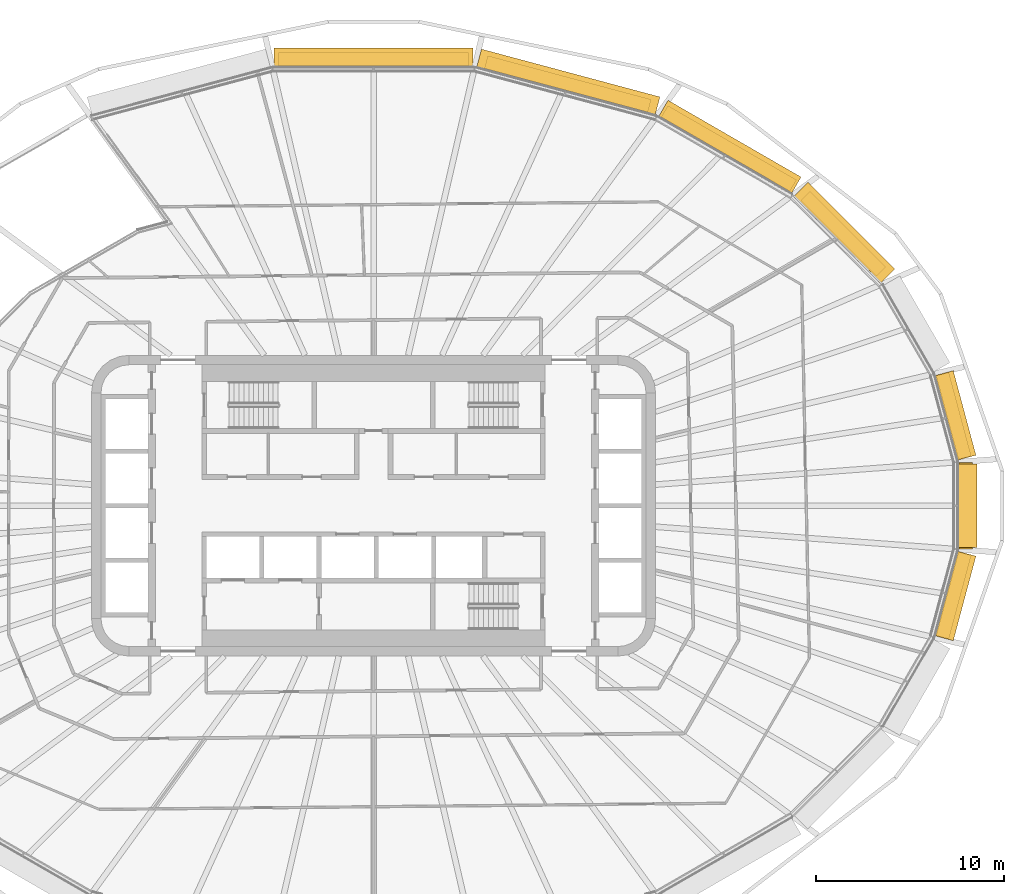
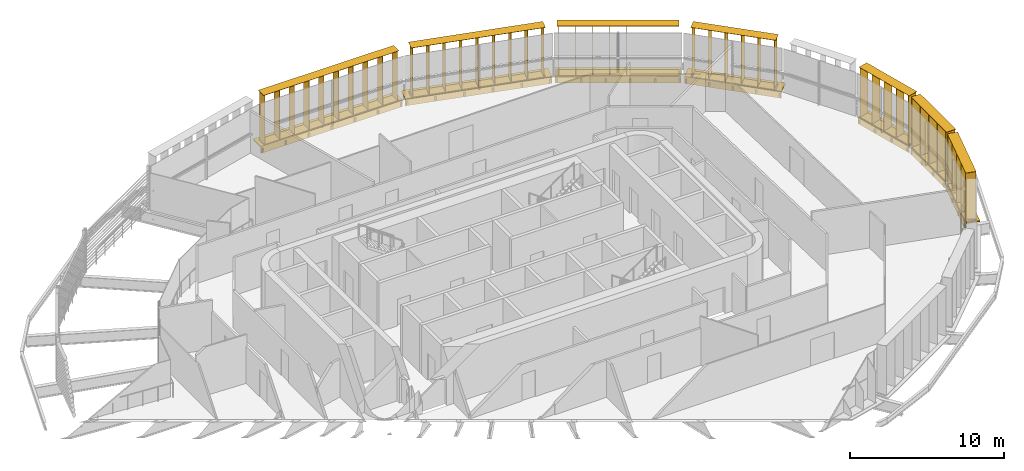
# One storey, part 22 of 22: 14 shading devices.
"""IFC4 building model written with IfcOpenShell, lengths in metres."""

from ifc_helpers import new_model, si_unit, direction, frame, origin, origin_2d, place, context, subcontext, project, spatial, rectangle, extrude, material, type_object, element, save


model = new_model("IFC4")

# Units and contexts
model_context = context("Model", 3, precision=1e-05, world=origin(), true_north=direction((0.0, 1.0)))
body_context = subcontext(model_context, "Body", "Model", "MODEL_VIEW")
ifc_project = project(units=[si_unit("LENGTHUNIT", "METRE"), si_unit("AREAUNIT", "SQUARE_METRE"), si_unit("VOLUMEUNIT", "CUBIC_METRE"), si_unit("PLANEANGLEUNIT", "RADIAN"), si_unit("MASSUNIT", "GRAM", prefix="KILO")], contexts=[model_context])

# Site, building, storey
site_placement = place(None, origin())
site = spatial("IfcSite", under=ifc_project, at=site_placement, CompositionType="ELEMENT")
building_placement = place(site_placement, origin())
building = spatial("IfcBuilding", under=site, at=building_placement, Name="Sahrelin Media Tower", CompositionType="ELEMENT")
storey_placement = place(building_placement, frame((0.0, 0.0, 177.60009765625)))
storey = spatial("IfcBuildingStorey", under=building, at=storey_placement, Name="L37", CompositionType="ELEMENT", Elevation=177.60009765625)

# Shading devices
ifc_material = material(Name="Champagne anodised aluminium 6063-T6", Category="aluminium")
shading_device_type_1 = type_object("IfcShadingDeviceType", Name="Fin cassette", PredefinedType="USERDEFINED", material=ifc_material)
placement_1 = place(storey_placement, frame((31.081787109375, 0.0, 0.0), z_axis=(0.0, 0.0, 1.0), x_axis=(0.0, -1.0, 0.0)))
element("IfcShadingDevice", 1, at=placement_1, inside=storey, type_object=shading_device_type_1, Name="L37:FIN:L37-00", ObjectType="FIN", PredefinedType="USERDEFINED", context=body_context, shape_type="SweptSolid", body=[
    extrude(rectangle(XDim=4.60009765625, YDim=0.699951171875, at=origin_2d()), frame((0.0, 0.419921875, 0.0)), (0.0, 0.0, 1.0), 0.02001953125),
    extrude(rectangle(XDim=4.60009765625, YDim=0.699951171875, at=origin_2d()), frame((0.0, 0.419921875, 3.89990234375)), (0.0, 0.0, 1.0), 0.02001953125),
    extrude(rectangle(XDim=0.02001953125, YDim=0.699951171875, at=origin_2d()), frame((-2.199951171875, 0.419921875, 0.010009765625), z_axis=(0.0, 0.0, 1.0), x_axis=(1.0, 0.0, 0.0)), (0.0, 0.0, 1.0), 3.89990234375),
    extrude(rectangle(XDim=0.02001953125, YDim=0.699951171875, at=origin_2d()), frame((-1.10009765625, 0.419921875, 0.010009765625), z_axis=(0.0, 0.0, 1.0), x_axis=(1.0, 0.0, 0.0)), (0.0, 0.0, 1.0), 3.89990234375),
    extrude(rectangle(XDim=0.02001953125, YDim=0.699951171875, at=origin_2d()), frame((0.0, 0.419921875, 0.010009765625), z_axis=(0.0, 0.0, 1.0), x_axis=(1.0, 0.0, 0.0)), (0.0, 0.0, 1.0), 3.89990234375),
    extrude(rectangle(XDim=0.02001953125, YDim=0.699951171875, at=origin_2d()), frame((1.10009765625, 0.419921875, 0.010009765625), z_axis=(0.0, 0.0, 1.0), x_axis=(1.0, 0.0, 0.0)), (0.0, 0.0, 1.0), 3.89990234375),
    extrude(rectangle(XDim=0.02001953125, YDim=0.699951171875, at=origin_2d()), frame((2.199951171875, 0.419921875, 0.010009765625), z_axis=(0.0, 0.0, 1.0), x_axis=(1.0, 0.0, 0.0)), (0.0, 0.0, 1.0), 3.89990234375),
])
placement_2 = place(storey_placement, frame((30.453369140625, 4.667236328125, 0.0), z_axis=(0.0, 0.0, 1.0), x_axis=(0.258807731996, -0.965928857556, 0.0)))
element("IfcShadingDevice", 2, at=placement_2, inside=storey, type_object=shading_device_type_1, Name="L37:FIN:L37-01", ObjectType="FIN", PredefinedType="USERDEFINED", context=body_context, shape_type="SweptSolid", body=[
    extrude(rectangle(XDim=4.60009765625, YDim=0.699951171875, at=origin_2d()), frame((0.0, 0.419921875, 0.0)), (0.0, 0.0, 1.0), 0.02001953125),
    extrude(rectangle(XDim=4.60009765625, YDim=0.699951171875, at=origin_2d()), frame((0.0, 0.419921875, 3.89990234375)), (0.0, 0.0, 1.0), 0.02001953125),
    extrude(rectangle(XDim=0.02001953125, YDim=0.699951171875, at=origin_2d()), frame((-2.199951171875, 0.419921875, 0.010009765625), z_axis=(0.0, 0.0, 1.0), x_axis=(1.0, 0.0, 0.0)), (0.0, 0.0, 1.0), 3.89990234375),
    extrude(rectangle(XDim=0.02001953125, YDim=0.699951171875, at=origin_2d()), frame((-1.10009765625, 0.419921875, 0.010009765625), z_axis=(0.0, 0.0, 1.0), x_axis=(1.0, 0.0, 0.0)), (0.0, 0.0, 1.0), 3.89990234375),
    extrude(rectangle(XDim=0.02001953125, YDim=0.699951171875, at=origin_2d()), frame((0.0, 0.419921875, 0.010009765625), z_axis=(0.0, 0.0, 1.0), x_axis=(1.0, 0.0, 0.0)), (0.0, 0.0, 1.0), 3.89990234375),
    extrude(rectangle(XDim=0.02001953125, YDim=0.699951171875, at=origin_2d()), frame((1.10009765625, 0.419921875, 0.010009765625), z_axis=(0.0, 0.0, 1.0), x_axis=(1.0, 0.0, 0.0)), (0.0, 0.0, 1.0), 3.89990234375),
    extrude(rectangle(XDim=0.02001953125, YDim=0.699951171875, at=origin_2d()), frame((2.199951171875, 0.419921875, 0.010009765625), z_axis=(0.0, 0.0, 1.0), x_axis=(1.0, 0.0, 0.0)), (0.0, 0.0, 1.0), 3.89990234375),
])
placement_3 = place(storey_placement, frame((24.688232421875, 14.172119140625, 0.0), z_axis=(0.0, 0.0, 1.0), x_axis=(0.707106781187, -0.707106781187, 0.0)))
element("IfcShadingDevice", 3, at=placement_3, inside=storey, type_object=shading_device_type_1, Name="L37:FIN:L37-03", ObjectType="FIN", PredefinedType="USERDEFINED", context=body_context, shape_type="SweptSolid", body=[
    extrude(rectangle(XDim=5.699951171875, YDim=0.699951171875, at=origin_2d()), frame((0.0, 0.419921875, 0.0)), (0.0, 0.0, 1.0), 0.02001953125),
    extrude(rectangle(XDim=5.699951171875, YDim=0.699951171875, at=origin_2d()), frame((0.0, 0.419921875, 3.89990234375)), (0.0, 0.0, 1.0), 0.02001953125),
    extrude(rectangle(XDim=0.02001953125, YDim=0.699951171875, at=origin_2d()), frame((-2.75, 0.419921875, 0.010009765625), z_axis=(0.0, 0.0, 1.0), x_axis=(1.0, 0.0, 0.0)), (0.0, 0.0, 1.0), 3.89990234375),
    extrude(rectangle(XDim=0.02001953125, YDim=0.699951171875, at=origin_2d()), frame((-1.64990234375, 0.419921875, 0.010009765625), z_axis=(0.0, 0.0, 1.0), x_axis=(1.0, 0.0, 0.0)), (0.0, 0.0, 1.0), 3.89990234375),
    extrude(rectangle(XDim=0.02001953125, YDim=0.699951171875, at=origin_2d()), frame((-0.550048828125, 0.419921875, 0.010009765625), z_axis=(0.0, 0.0, 1.0), x_axis=(1.0, 0.0, 0.0)), (0.0, 0.0, 1.0), 3.89990234375),
    extrude(rectangle(XDim=0.02001953125, YDim=0.699951171875, at=origin_2d()), frame((0.550048828125, 0.419921875, 0.010009765625), z_axis=(0.0, 0.0, 1.0), x_axis=(1.0, 0.0, 0.0)), (0.0, 0.0, 1.0), 3.89990234375),
    extrude(rectangle(XDim=0.02001953125, YDim=0.699951171875, at=origin_2d()), frame((1.64990234375, 0.419921875, 0.010009765625), z_axis=(0.0, 0.0, 1.0), x_axis=(1.0, 0.0, 0.0)), (0.0, 0.0, 1.0), 3.89990234375),
    extrude(rectangle(XDim=0.02001953125, YDim=0.699951171875, at=origin_2d()), frame((2.75, 0.419921875, 0.010009765625), z_axis=(0.0, 0.0, 1.0), x_axis=(1.0, 0.0, 0.0)), (0.0, 0.0, 1.0), 3.89990234375),
])
placement_4 = place(storey_placement, frame((18.691162109375, 18.6376953125, 0.0), z_axis=(0.0, 0.0, 1.0), x_axis=(0.866019052629, -0.500011000363, 0.0)))
element("IfcShadingDevice", 4, at=placement_4, inside=storey, type_object=shading_device_type_1, Name="L37:FIN:L37-04", ObjectType="FIN", PredefinedType="USERDEFINED", context=body_context, shape_type="SweptSolid", body=[
    extrude(rectangle(XDim=7.89990234375, YDim=0.699951171875, at=origin_2d()), frame((0.0, 0.419921875, 0.0)), (0.0, 0.0, 1.0), 0.02001953125),
    extrude(rectangle(XDim=7.89990234375, YDim=0.699951171875, at=origin_2d()), frame((0.0, 0.419921875, 3.89990234375)), (0.0, 0.0, 1.0), 0.02001953125),
    extrude(rectangle(XDim=0.02001953125, YDim=0.699951171875, at=origin_2d()), frame((-3.85009765625, 0.419921875, 0.010009765625), z_axis=(0.0, 0.0, 1.0), x_axis=(1.0, 0.0, 0.0)), (0.0, 0.0, 1.0), 3.89990234375),
    extrude(rectangle(XDim=0.02001953125, YDim=0.699951171875, at=origin_2d()), frame((-2.75, 0.419921875, 0.010009765625), z_axis=(0.0, 0.0, 1.0), x_axis=(1.0, 0.0, 0.0)), (0.0, 0.0, 1.0), 3.89990234375),
    extrude(rectangle(XDim=0.02001953125, YDim=0.699951171875, at=origin_2d()), frame((-1.64990234375, 0.419921875, 0.010009765625), z_axis=(0.0, 0.0, 1.0), x_axis=(1.0, 0.0, 0.0)), (0.0, 0.0, 1.0), 3.89990234375),
    extrude(rectangle(XDim=0.02001953125, YDim=0.699951171875, at=origin_2d()), frame((-0.550048828125, 0.419921875, 0.010009765625), z_axis=(0.0, 0.0, 1.0), x_axis=(1.0, 0.0, 0.0)), (0.0, 0.0, 1.0), 3.89990234375),
    extrude(rectangle(XDim=0.02001953125, YDim=0.699951171875, at=origin_2d()), frame((0.550048828125, 0.419921875, 0.010009765625), z_axis=(0.0, 0.0, 1.0), x_axis=(1.0, 0.0, 0.0)), (0.0, 0.0, 1.0), 3.89990234375),
    extrude(rectangle(XDim=0.02001953125, YDim=0.699951171875, at=origin_2d()), frame((1.64990234375, 0.419921875, 0.010009765625), z_axis=(0.0, 0.0, 1.0), x_axis=(1.0, 0.0, 0.0)), (0.0, 0.0, 1.0), 3.89990234375),
    extrude(rectangle(XDim=0.02001953125, YDim=0.699951171875, at=origin_2d()), frame((2.75, 0.419921875, 0.010009765625), z_axis=(0.0, 0.0, 1.0), x_axis=(1.0, 0.0, 0.0)), (0.0, 0.0, 1.0), 3.89990234375),
    extrude(rectangle(XDim=0.02001953125, YDim=0.699951171875, at=origin_2d()), frame((3.85009765625, 0.419921875, 0.010009765625), z_axis=(0.0, 0.0, 1.0), x_axis=(1.0, 0.0, 0.0)), (0.0, 0.0, 1.0), 3.89990234375),
])
placement_5 = place(storey_placement, frame((10.22509765625, 22.027099609375, 0.0), z_axis=(0.0, 0.0, 1.0), x_axis=(0.965928857556, -0.258807731996, 0.0)))
element("IfcShadingDevice", 5, at=placement_5, inside=storey, type_object=shading_device_type_1, Name="L37:FIN:L37-05", ObjectType="FIN", PredefinedType="USERDEFINED", context=body_context, shape_type="SweptSolid", body=[
    extrude(rectangle(XDim=9.0, YDim=0.699951171875, at=origin_2d()), frame((0.0, 0.419921875, 0.0)), (0.0, 0.0, 1.0), 0.02001953125),
    extrude(rectangle(XDim=9.0, YDim=0.699951171875, at=origin_2d()), frame((0.0, 0.419921875, 3.89990234375)), (0.0, 0.0, 1.0), 0.02001953125),
    extrude(rectangle(XDim=0.02001953125, YDim=0.699951171875, at=origin_2d()), frame((-4.39990234375, 0.419921875, 0.010009765625), z_axis=(0.0, 0.0, 1.0), x_axis=(1.0, 0.0, 0.0)), (0.0, 0.0, 1.0), 3.89990234375),
    extrude(rectangle(XDim=0.02001953125, YDim=0.699951171875, at=origin_2d()), frame((-3.300048828125, 0.419921875, 0.010009765625), z_axis=(0.0, 0.0, 1.0), x_axis=(1.0, 0.0, 0.0)), (0.0, 0.0, 1.0), 3.89990234375),
    extrude(rectangle(XDim=0.02001953125, YDim=0.699951171875, at=origin_2d()), frame((-2.199951171875, 0.419921875, 0.010009765625), z_axis=(0.0, 0.0, 1.0), x_axis=(1.0, 0.0, 0.0)), (0.0, 0.0, 1.0), 3.89990234375),
    extrude(rectangle(XDim=0.02001953125, YDim=0.699951171875, at=origin_2d()), frame((-1.10009765625, 0.419921875, 0.010009765625), z_axis=(0.0, 0.0, 1.0), x_axis=(1.0, 0.0, 0.0)), (0.0, 0.0, 1.0), 3.89990234375),
    extrude(rectangle(XDim=0.02001953125, YDim=0.699951171875, at=origin_2d()), frame((0.0, 0.419921875, 0.010009765625), z_axis=(0.0, 0.0, 1.0), x_axis=(1.0, 0.0, 0.0)), (0.0, 0.0, 1.0), 3.89990234375),
    extrude(rectangle(XDim=0.02001953125, YDim=0.699951171875, at=origin_2d()), frame((1.10009765625, 0.419921875, 0.010009765625), z_axis=(0.0, 0.0, 1.0), x_axis=(1.0, 0.0, 0.0)), (0.0, 0.0, 1.0), 3.89990234375),
    extrude(rectangle(XDim=0.02001953125, YDim=0.699951171875, at=origin_2d()), frame((2.199951171875, 0.419921875, 0.010009765625), z_axis=(0.0, 0.0, 1.0), x_axis=(1.0, 0.0, 0.0)), (0.0, 0.0, 1.0), 3.89990234375),
    extrude(rectangle(XDim=0.02001953125, YDim=0.699951171875, at=origin_2d()), frame((3.300048828125, 0.419921875, 0.010009765625), z_axis=(0.0, 0.0, 1.0), x_axis=(1.0, 0.0, 0.0)), (0.0, 0.0, 1.0), 3.89990234375),
    extrude(rectangle(XDim=0.02001953125, YDim=0.699951171875, at=origin_2d()), frame((4.39990234375, 0.419921875, 0.010009765625), z_axis=(0.0, 0.0, 1.0), x_axis=(1.0, 0.0, 0.0)), (0.0, 0.0, 1.0), 3.89990234375),
])
placement_6 = place(storey_placement, frame((0.0, 23.32470703125, 0.0), z_axis=(0.0, 0.0, 1.0), x_axis=(1.0, 0.0, 0.0)))
element("IfcShadingDevice", 6, at=placement_6, inside=storey, type_object=shading_device_type_1, Name="L37:FIN:L37-06", ObjectType="FIN", PredefinedType="USERDEFINED", context=body_context, shape_type="SweptSolid", body=[
    extrude(rectangle(XDim=10.10009765625, YDim=0.699951171875, at=origin_2d()), frame((0.0, 0.419921875, 0.0)), (0.0, 0.0, 1.0), 0.02001953125),
    extrude(rectangle(XDim=10.10009765625, YDim=0.699951171875, at=origin_2d()), frame((0.0, 0.419921875, 3.89990234375)), (0.0, 0.0, 1.0), 0.02001953125),
    extrude(rectangle(XDim=0.02001953125, YDim=0.699951171875, at=origin_2d()), frame((-4.949951171875, 0.419921875, 0.010009765625), z_axis=(0.0, 0.0, 1.0), x_axis=(1.0, 0.0, 0.0)), (0.0, 0.0, 1.0), 3.89990234375),
    extrude(rectangle(XDim=0.02001953125, YDim=0.699951171875, at=origin_2d()), frame((-3.85009765625, 0.419921875, 0.010009765625), z_axis=(0.0, 0.0, 1.0), x_axis=(1.0, 0.0, 0.0)), (0.0, 0.0, 1.0), 3.89990234375),
    extrude(rectangle(XDim=0.02001953125, YDim=0.699951171875, at=origin_2d()), frame((-2.75, 0.419921875, 0.010009765625), z_axis=(0.0, 0.0, 1.0), x_axis=(1.0, 0.0, 0.0)), (0.0, 0.0, 1.0), 3.89990234375),
    extrude(rectangle(XDim=0.02001953125, YDim=0.699951171875, at=origin_2d()), frame((-1.64990234375, 0.419921875, 0.010009765625), z_axis=(0.0, 0.0, 1.0), x_axis=(1.0, 0.0, 0.0)), (0.0, 0.0, 1.0), 3.89990234375),
    extrude(rectangle(XDim=0.02001953125, YDim=0.699951171875, at=origin_2d()), frame((-0.550048828125, 0.419921875, 0.010009765625), z_axis=(0.0, 0.0, 1.0), x_axis=(1.0, 0.0, 0.0)), (0.0, 0.0, 1.0), 3.89990234375),
    extrude(rectangle(XDim=0.02001953125, YDim=0.699951171875, at=origin_2d()), frame((0.550048828125, 0.419921875, 0.010009765625), z_axis=(0.0, 0.0, 1.0), x_axis=(1.0, 0.0, 0.0)), (0.0, 0.0, 1.0), 3.89990234375),
    extrude(rectangle(XDim=0.02001953125, YDim=0.699951171875, at=origin_2d()), frame((1.64990234375, 0.419921875, 0.010009765625), z_axis=(0.0, 0.0, 1.0), x_axis=(1.0, 0.0, 0.0)), (0.0, 0.0, 1.0), 3.89990234375),
    extrude(rectangle(XDim=0.02001953125, YDim=0.699951171875, at=origin_2d()), frame((2.75, 0.419921875, 0.010009765625), z_axis=(0.0, 0.0, 1.0), x_axis=(1.0, 0.0, 0.0)), (0.0, 0.0, 1.0), 3.89990234375),
    extrude(rectangle(XDim=0.02001953125, YDim=0.699951171875, at=origin_2d()), frame((3.85009765625, 0.419921875, 0.010009765625), z_axis=(0.0, 0.0, 1.0), x_axis=(1.0, 0.0, 0.0)), (0.0, 0.0, 1.0), 3.89990234375),
    extrude(rectangle(XDim=0.02001953125, YDim=0.699951171875, at=origin_2d()), frame((4.949951171875, 0.419921875, 0.010009765625), z_axis=(0.0, 0.0, 1.0), x_axis=(1.0, 0.0, 0.0)), (0.0, 0.0, 1.0), 3.89990234375),
])
placement_7 = place(storey_placement, frame((30.453369140625, -4.667236328125, 0.0), z_axis=(0.0, 0.0, 1.0), x_axis=(-0.258807731996, -0.965928857556, 0.0)))
element("IfcShadingDevice", 7, at=placement_7, inside=storey, type_object=shading_device_type_1, Name="L37:FIN:L37-23", ObjectType="FIN", PredefinedType="USERDEFINED", context=body_context, shape_type="SweptSolid", body=[
    extrude(rectangle(XDim=4.60009765625, YDim=0.699951171875, at=origin_2d()), frame((0.0, 0.419921875, 0.0)), (0.0, 0.0, 1.0), 0.02001953125),
    extrude(rectangle(XDim=4.60009765625, YDim=0.699951171875, at=origin_2d()), frame((0.0, 0.419921875, 3.89990234375)), (0.0, 0.0, 1.0), 0.02001953125),
    extrude(rectangle(XDim=0.02001953125, YDim=0.699951171875, at=origin_2d()), frame((-2.199951171875, 0.419921875, 0.010009765625), z_axis=(0.0, 0.0, 1.0), x_axis=(1.0, 0.0, 0.0)), (0.0, 0.0, 1.0), 3.89990234375),
    extrude(rectangle(XDim=0.02001953125, YDim=0.699951171875, at=origin_2d()), frame((-1.10009765625, 0.419921875, 0.010009765625), z_axis=(0.0, 0.0, 1.0), x_axis=(1.0, 0.0, 0.0)), (0.0, 0.0, 1.0), 3.89990234375),
    extrude(rectangle(XDim=0.02001953125, YDim=0.699951171875, at=origin_2d()), frame((0.0, 0.419921875, 0.010009765625), z_axis=(0.0, 0.0, 1.0), x_axis=(1.0, 0.0, 0.0)), (0.0, 0.0, 1.0), 3.89990234375),
    extrude(rectangle(XDim=0.02001953125, YDim=0.699951171875, at=origin_2d()), frame((1.10009765625, 0.419921875, 0.010009765625), z_axis=(0.0, 0.0, 1.0), x_axis=(1.0, 0.0, 0.0)), (0.0, 0.0, 1.0), 3.89990234375),
    extrude(rectangle(XDim=0.02001953125, YDim=0.699951171875, at=origin_2d()), frame((2.199951171875, 0.419921875, 0.010009765625), z_axis=(0.0, 0.0, 1.0), x_axis=(1.0, 0.0, 0.0)), (0.0, 0.0, 1.0), 3.89990234375),
])
shading_device_type_2 = type_object("IfcShadingDeviceType", Name="Sunshade band", PredefinedType="USERDEFINED", material=ifc_material)
element("IfcShadingDevice", 8, at=placement_1, inside=storey, type_object=shading_device_type_2, Name="L37:SUN:L37-00", ObjectType="SUNSHADE", PredefinedType="USERDEFINED", context=body_context, shape_type="SweptSolid", body=[
    extrude(rectangle(XDim=4.443603515625, YDim=0.050048828125, at=origin_2d()), frame((0.0, 0.044921875, -0.55126953125)), (0.0, 0.0, 1.0), 0.471435546875),
    extrude(rectangle(XDim=4.443603515625, YDim=1.0, at=origin_2d()), frame((0.0, 0.52001953125, -0.080078125)), (0.0, 0.0, 1.0), 0.080078125),
    extrude(rectangle(XDim=0.10009765625, YDim=0.074951171875, at=origin_2d()), frame((-2.121826171875, -0.017578125, -0.47021484375)), (0.0, 0.0, 1.0), 0.300048828125),
    extrude(rectangle(XDim=0.10009765625, YDim=0.074951171875, at=origin_2d()), frame((-0.707275390625, -0.017578125, -0.47021484375)), (0.0, 0.0, 1.0), 0.300048828125),
    extrude(rectangle(XDim=0.10009765625, YDim=0.074951171875, at=origin_2d()), frame((0.707275390625, -0.017578125, -0.47021484375)), (0.0, 0.0, 1.0), 0.300048828125),
    extrude(rectangle(XDim=0.10009765625, YDim=0.074951171875, at=origin_2d()), frame((2.121826171875, -0.017578125, -0.47021484375)), (0.0, 0.0, 1.0), 0.300048828125),
])
element("IfcShadingDevice", 9, at=placement_2, inside=storey, type_object=shading_device_type_2, Name="L37:SUN:L37-01", ObjectType="SUNSHADE", PredefinedType="USERDEFINED", context=body_context, shape_type="SweptSolid", body=[
    extrude(rectangle(XDim=4.656494140625, YDim=0.050048828125, at=origin_2d()), frame((0.0, 0.044921875, -0.55126953125)), (0.0, 0.0, 1.0), 0.471435546875),
    extrude(rectangle(XDim=4.656494140625, YDim=1.0, at=origin_2d()), frame((0.0, 0.52001953125, -0.080078125)), (0.0, 0.0, 1.0), 0.080078125),
    extrude(rectangle(XDim=0.10009765625, YDim=0.074951171875, at=origin_2d()), frame((-2.228271484375, -0.017578125, -0.47021484375)), (0.0, 0.0, 1.0), 0.300048828125),
    extrude(rectangle(XDim=0.10009765625, YDim=0.074951171875, at=origin_2d()), frame((-0.74267578125, -0.017578125, -0.47021484375)), (0.0, 0.0, 1.0), 0.300048828125),
    extrude(rectangle(XDim=0.10009765625, YDim=0.074951171875, at=origin_2d()), frame((0.74267578125, -0.017578125, -0.47021484375)), (0.0, 0.0, 1.0), 0.300048828125),
    extrude(rectangle(XDim=0.10009765625, YDim=0.074951171875, at=origin_2d()), frame((2.228271484375, -0.017578125, -0.47021484375)), (0.0, 0.0, 1.0), 0.300048828125),
])
element("IfcShadingDevice", 10, at=placement_3, inside=storey, type_object=shading_device_type_2, Name="L37:SUN:L37-03", ObjectType="SUNSHADE", PredefinedType="USERDEFINED", context=body_context, shape_type="SweptSolid", body=[
    extrude(rectangle(XDim=6.513916015625, YDim=0.050048828125, at=origin_2d()), frame((0.0, 0.044921875, -0.55126953125)), (0.0, 0.0, 1.0), 0.471435546875),
    extrude(rectangle(XDim=6.513916015625, YDim=1.0, at=origin_2d()), frame((0.0, 0.52001953125, -0.080078125)), (0.0, 0.0, 1.0), 0.080078125),
    extrude(rectangle(XDim=0.10009765625, YDim=0.074951171875, at=origin_2d()), frame((-3.156982421875, -0.017578125, -0.47021484375)), (0.0, 0.0, 1.0), 0.300048828125),
    extrude(rectangle(XDim=0.10009765625, YDim=0.074951171875, at=origin_2d()), frame((-1.578369140625, -0.017578125, -0.47021484375)), (0.0, 0.0, 1.0), 0.300048828125),
    extrude(rectangle(XDim=0.10009765625, YDim=0.074951171875, at=origin_2d()), frame((0.0, -0.017578125, -0.47021484375)), (0.0, 0.0, 1.0), 0.300048828125),
    extrude(rectangle(XDim=0.10009765625, YDim=0.074951171875, at=origin_2d()), frame((1.578369140625, -0.017578125, -0.47021484375)), (0.0, 0.0, 1.0), 0.300048828125),
    extrude(rectangle(XDim=0.10009765625, YDim=0.074951171875, at=origin_2d()), frame((3.156982421875, -0.017578125, -0.47021484375)), (0.0, 0.0, 1.0), 0.300048828125),
])
element("IfcShadingDevice", 11, at=placement_4, inside=storey, type_object=shading_device_type_2, Name="L37:SUN:L37-04", ObjectType="SUNSHADE", PredefinedType="USERDEFINED", context=body_context, shape_type="SweptSolid", body=[
    extrude(rectangle(XDim=8.16748046875, YDim=0.050048828125, at=origin_2d()), frame((0.0, 0.044921875, -0.55126953125)), (0.0, 0.0, 1.0), 0.471435546875),
    extrude(rectangle(XDim=8.16748046875, YDim=1.0, at=origin_2d()), frame((0.0, 0.52001953125, -0.080078125)), (0.0, 0.0, 1.0), 0.080078125),
    extrude(rectangle(XDim=0.10009765625, YDim=0.074951171875, at=origin_2d()), frame((-3.98388671875, -0.017578125, -0.47021484375)), (0.0, 0.0, 1.0), 0.300048828125),
    extrude(rectangle(XDim=0.10009765625, YDim=0.074951171875, at=origin_2d()), frame((-2.390380859375, -0.017578125, -0.47021484375)), (0.0, 0.0, 1.0), 0.300048828125),
    extrude(rectangle(XDim=0.10009765625, YDim=0.074951171875, at=origin_2d()), frame((-0.796875, -0.017578125, -0.47021484375)), (0.0, 0.0, 1.0), 0.300048828125),
    extrude(rectangle(XDim=0.10009765625, YDim=0.074951171875, at=origin_2d()), frame((0.796875, -0.017578125, -0.47021484375)), (0.0, 0.0, 1.0), 0.300048828125),
    extrude(rectangle(XDim=0.10009765625, YDim=0.074951171875, at=origin_2d()), frame((2.390380859375, -0.017578125, -0.47021484375)), (0.0, 0.0, 1.0), 0.300048828125),
    extrude(rectangle(XDim=0.10009765625, YDim=0.074951171875, at=origin_2d()), frame((3.98388671875, -0.017578125, -0.47021484375)), (0.0, 0.0, 1.0), 0.300048828125),
])
element("IfcShadingDevice", 12, at=placement_5, inside=storey, type_object=shading_device_type_2, Name="L37:SUN:L37-05", ObjectType="SUNSHADE", PredefinedType="USERDEFINED", context=body_context, shape_type="SweptSolid", body=[
    extrude(rectangle(XDim=9.826904296875, YDim=0.050048828125, at=origin_2d()), frame((0.0, 0.044921875, -0.55126953125)), (0.0, 0.0, 1.0), 0.471435546875),
    extrude(rectangle(XDim=9.826904296875, YDim=1.0, at=origin_2d()), frame((0.0, 0.52001953125, -0.080078125)), (0.0, 0.0, 1.0), 0.080078125),
    extrude(rectangle(XDim=0.10009765625, YDim=0.074951171875, at=origin_2d()), frame((-4.8134765625, -0.017578125, -0.47021484375)), (0.0, 0.0, 1.0), 0.300048828125),
    extrude(rectangle(XDim=0.10009765625, YDim=0.074951171875, at=origin_2d()), frame((-2.88818359375, -0.017578125, -0.47021484375)), (0.0, 0.0, 1.0), 0.300048828125),
    extrude(rectangle(XDim=0.10009765625, YDim=0.074951171875, at=origin_2d()), frame((-0.962646484375, -0.017578125, -0.47021484375)), (0.0, 0.0, 1.0), 0.300048828125),
    extrude(rectangle(XDim=0.10009765625, YDim=0.074951171875, at=origin_2d()), frame((0.962646484375, -0.017578125, -0.47021484375)), (0.0, 0.0, 1.0), 0.300048828125),
    extrude(rectangle(XDim=0.10009765625, YDim=0.074951171875, at=origin_2d()), frame((2.88818359375, -0.017578125, -0.47021484375)), (0.0, 0.0, 1.0), 0.300048828125),
    extrude(rectangle(XDim=0.10009765625, YDim=0.074951171875, at=origin_2d()), frame((4.8134765625, -0.017578125, -0.47021484375)), (0.0, 0.0, 1.0), 0.300048828125),
])
element("IfcShadingDevice", 13, at=placement_6, inside=storey, type_object=shading_device_type_2, Name="L37:SUN:L37-06", ObjectType="SUNSHADE", PredefinedType="USERDEFINED", context=body_context, shape_type="SweptSolid", body=[
    extrude(rectangle(XDim=10.565185546875, YDim=0.050048828125, at=origin_2d()), frame((0.0, 0.044921875, -0.55126953125)), (0.0, 0.0, 1.0), 0.471435546875),
    extrude(rectangle(XDim=10.565185546875, YDim=1.0, at=origin_2d()), frame((0.0, 0.52001953125, -0.080078125)), (0.0, 0.0, 1.0), 0.080078125),
    extrude(rectangle(XDim=0.10009765625, YDim=0.074951171875, at=origin_2d()), frame((-5.1826171875, -0.017578125, -0.47021484375)), (0.0, 0.0, 1.0), 0.300048828125),
    extrude(rectangle(XDim=0.10009765625, YDim=0.074951171875, at=origin_2d()), frame((-3.455078125, -0.017578125, -0.47021484375)), (0.0, 0.0, 1.0), 0.300048828125),
    extrude(rectangle(XDim=0.10009765625, YDim=0.074951171875, at=origin_2d()), frame((-1.7275390625, -0.017578125, -0.47021484375)), (0.0, 0.0, 1.0), 0.300048828125),
    extrude(rectangle(XDim=0.10009765625, YDim=0.074951171875, at=origin_2d()), frame((0.0, -0.017578125, -0.47021484375)), (0.0, 0.0, 1.0), 0.300048828125),
    extrude(rectangle(XDim=0.10009765625, YDim=0.074951171875, at=origin_2d()), frame((1.7275390625, -0.017578125, -0.47021484375)), (0.0, 0.0, 1.0), 0.300048828125),
    extrude(rectangle(XDim=0.10009765625, YDim=0.074951171875, at=origin_2d()), frame((3.455078125, -0.017578125, -0.47021484375)), (0.0, 0.0, 1.0), 0.300048828125),
    extrude(rectangle(XDim=0.10009765625, YDim=0.074951171875, at=origin_2d()), frame((5.1826171875, -0.017578125, -0.47021484375)), (0.0, 0.0, 1.0), 0.300048828125),
])
element("IfcShadingDevice", 14, at=placement_7, inside=storey, type_object=shading_device_type_2, Name="L37:SUN:L37-23", ObjectType="SUNSHADE", PredefinedType="USERDEFINED", context=body_context, shape_type="SweptSolid", body=[
    extrude(rectangle(XDim=4.656494140625, YDim=0.050048828125, at=origin_2d()), frame((0.0, 0.044921875, -0.55126953125)), (0.0, 0.0, 1.0), 0.471435546875),
    extrude(rectangle(XDim=4.656494140625, YDim=1.0, at=origin_2d()), frame((0.0, 0.52001953125, -0.080078125)), (0.0, 0.0, 1.0), 0.080078125),
    extrude(rectangle(XDim=0.10009765625, YDim=0.074951171875, at=origin_2d()), frame((-2.228271484375, -0.017578125, -0.47021484375)), (0.0, 0.0, 1.0), 0.300048828125),
    extrude(rectangle(XDim=0.10009765625, YDim=0.074951171875, at=origin_2d()), frame((-0.74267578125, -0.017578125, -0.47021484375)), (0.0, 0.0, 1.0), 0.300048828125),
    extrude(rectangle(XDim=0.10009765625, YDim=0.074951171875, at=origin_2d()), frame((0.74267578125, -0.017578125, -0.47021484375)), (0.0, 0.0, 1.0), 0.300048828125),
    extrude(rectangle(XDim=0.10009765625, YDim=0.074951171875, at=origin_2d()), frame((2.228271484375, -0.017578125, -0.47021484375)), (0.0, 0.0, 1.0), 0.300048828125),
])

save(model, "model.ifc")
